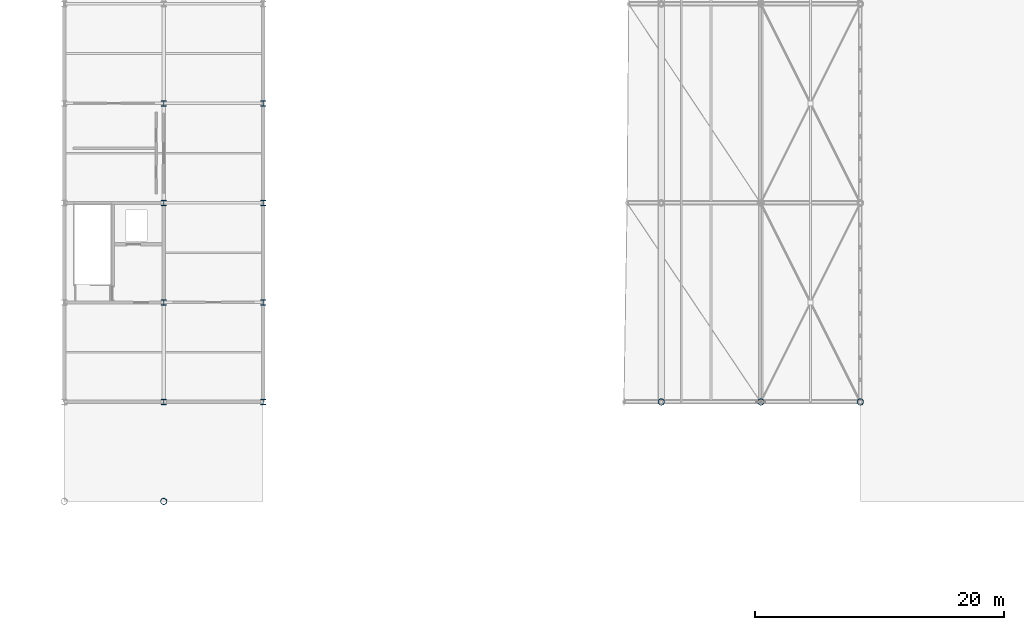
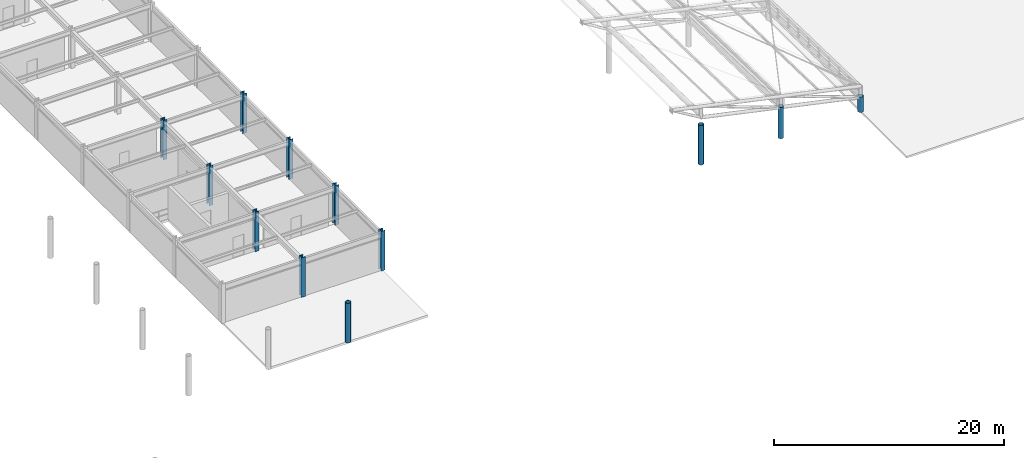
# One storey, part 8 of 54: 12 columns.
"""IFC4 building model written with IfcOpenShell, lengths in metres."""

from ifc_helpers import new_model, si_unit, direction, frame, origin, origin_2d, place, context, subcontext, project, spatial, hollow_circle, i_section, extrude, material, material_profile, profile_set, type_object, element, save


model = new_model("IFC4")

# Units and contexts
model_context = context("Model", 3, precision=1e-05, world=origin(), true_north=direction((0.0, 1.0)))
body_context = subcontext(model_context, "Body", "Model", "MODEL_VIEW")
ifc_project = project(units=[si_unit("LENGTHUNIT", "METRE"), si_unit("AREAUNIT", "SQUARE_METRE"), si_unit("VOLUMEUNIT", "CUBIC_METRE"), si_unit("PLANEANGLEUNIT", "RADIAN"), si_unit("MASSUNIT", "GRAM", prefix="KILO")], contexts=[model_context])

# Site, building, storey
site_placement = place(None, origin())
site = spatial("IfcSite", under=ifc_project, at=site_placement, CompositionType="ELEMENT")
building_placement = place(site_placement, origin())
building = spatial("IfcBuilding", under=site, at=building_placement, Name="Haebicheon Civic Stadium", CompositionType="ELEMENT")
storey_placement = place(building_placement, frame((0.0, 0.0, 22.800048828125)))
storey = spatial("IfcBuildingStorey", under=building, at=storey_placement, Name="L06", CompositionType="ELEMENT", Elevation=22.800048828125)

# Columns
ifc_material_1 = material(Name="White painted steel SM490", Category="steel")
ifc_material_profile_1 = material_profile(ifc_material_1, hollow_circle(Radius=0.25390625, WallThickness=0.02490234375, at=origin_2d()), Name="CHS-508.0x25.0")
ifc_profile_set_1 = profile_set([ifc_material_profile_1], Name="White painted steel SM490")
column_type_1 = type_object("IfcColumnType", Name="COL-ST-CHS508", PredefinedType="COLUMN", material=ifc_profile_set_1)
column_1_placement = place(storey_placement, frame((152.0, 48.0, 0.0), z_axis=(0.0, 0.0, 1.0), x_axis=(1.0, 0.0, 0.0)))
element("IfcColumn", 1, at=column_1_placement, inside=storey, type_object=column_type_1, material=ifc_profile_set_1, Name="Bowl/canopy support column 152/48 (L06)", PredefinedType="COLUMN", context=body_context, shape_type="SweptSolid", body=[
    extrude(hollow_circle(Radius=0.25390625, WallThickness=0.02490234375, at=origin_2d()), origin(), (0.0, 0.0, 1.0), 4.199951171875),
])
column_2_placement = place(storey_placement, frame((208.0, 56.0, 0.0), z_axis=(0.0, 0.0, 1.0), x_axis=(1.0, 0.0, 0.0)))
element("IfcColumn", 2, at=column_2_placement, inside=storey, type_object=column_type_1, material=ifc_profile_set_1, Name="Bowl/canopy support column 208/56 (L06)", PredefinedType="COLUMN", context=body_context, shape_type="SweptSolid", body=[
    extrude(hollow_circle(Radius=0.25390625, WallThickness=0.02490234375, at=origin_2d()), origin(), (0.0, 0.0, 1.0), 1.612060546875),
])
column_3_placement = place(storey_placement, frame((200.0, 56.0, 0.0), z_axis=(0.0, 0.0, 1.0), x_axis=(1.0, 0.0, 0.0)))
element("IfcColumn", 3, at=column_3_placement, inside=storey, type_object=column_type_1, material=ifc_profile_set_1, Name="Bowl/canopy support column 200/56 (L06)", PredefinedType="COLUMN", context=body_context, shape_type="SweptSolid", body=[
    extrude(hollow_circle(Radius=0.25390625, WallThickness=0.02490234375, at=origin_2d()), origin(), (0.0, 0.0, 1.0), 3.33203125),
])
column_4_placement = place(storey_placement, frame((192.0, 56.0, 0.0), z_axis=(0.0, 0.0, 1.0), x_axis=(1.0, 0.0, 0.0)))
element("IfcColumn", 4, at=column_4_placement, inside=storey, type_object=column_type_1, material=ifc_profile_set_1, Name="Bowl/canopy support column 192/56 (L06)", PredefinedType="COLUMN", context=body_context, shape_type="SweptSolid", body=[
    extrude(hollow_circle(Radius=0.25390625, WallThickness=0.02490234375, at=origin_2d()), origin(), (0.0, 0.0, 1.0), 4.199951171875),
])
ifc_material_2 = material(Name="Steel SM490", Category="steel")
ifc_material_profile_2 = material_profile(ifc_material_2, i_section(OverallWidth=0.406982421875, OverallDepth=0.427978515625, WebThickness=0.02001953125, FlangeThickness=0.034912109375, at=origin_2d()), Name="H-428x407x20x35")
ifc_profile_set_2 = profile_set([ifc_material_profile_2], Name="Steel SM490")
column_type_2 = type_object("IfcColumnType", Name="COL-ST-H428", PredefinedType="COLUMN", material=ifc_profile_set_2)
for number, where, z_axis, x_axis, name in (
    (5, (152.0, 56.0, 0.0), (0.0, 0.0, 1.0), (1.0, 0.0, 0.0), "L06 column 20/H"),
    (6, (152.0, 64.0, 0.0), (0.0, 0.0, 1.0), (1.0, 0.0, 0.0), "L06 column 20/J"),
    (7, (152.0, 72.0, 0.0), (0.0, 0.0, 1.0), (1.0, 0.0, 0.0), "L06 column 20/K"),
    (8, (152.0, 80.0, 0.0), (0.0, 0.0, 1.0), (1.0, 0.0, 0.0), "L06 column 20/L"),
    (9, (160.0, 56.0, 0.0), (0.0, 0.0, 1.0), (1.0, 0.0, 0.0), "L06 column 21/H"),
    (10, (160.0, 64.0, 0.0), (0.0, 0.0, 1.0), (1.0, 0.0, 0.0), "L06 column 21/J"),
    (11, (160.0, 72.0, 0.0), (0.0, 0.0, 1.0), (1.0, 0.0, 0.0), "L06 column 21/K"),
    (12, (160.0, 80.0, 0.0), (0.0, 0.0, 1.0), (1.0, 0.0, 0.0), "L06 column 21/L"),
):
    element("IfcColumn", number, at=place(storey_placement, frame(where, z_axis=z_axis, x_axis=x_axis)), inside=storey, type_object=column_type_2, material=ifc_profile_set_2, Name=name, PredefinedType="COLUMN", context=body_context, shape_type="SweptSolid", body=[
        extrude(i_section(OverallWidth=0.406982421875, OverallDepth=0.427978515625, WebThickness=0.02001953125, FlangeThickness=0.034912109375, at=origin_2d()), origin(), (0.0, 0.0, 1.0), 4.199951171875),
    ])

save(model, "model.ifc")
